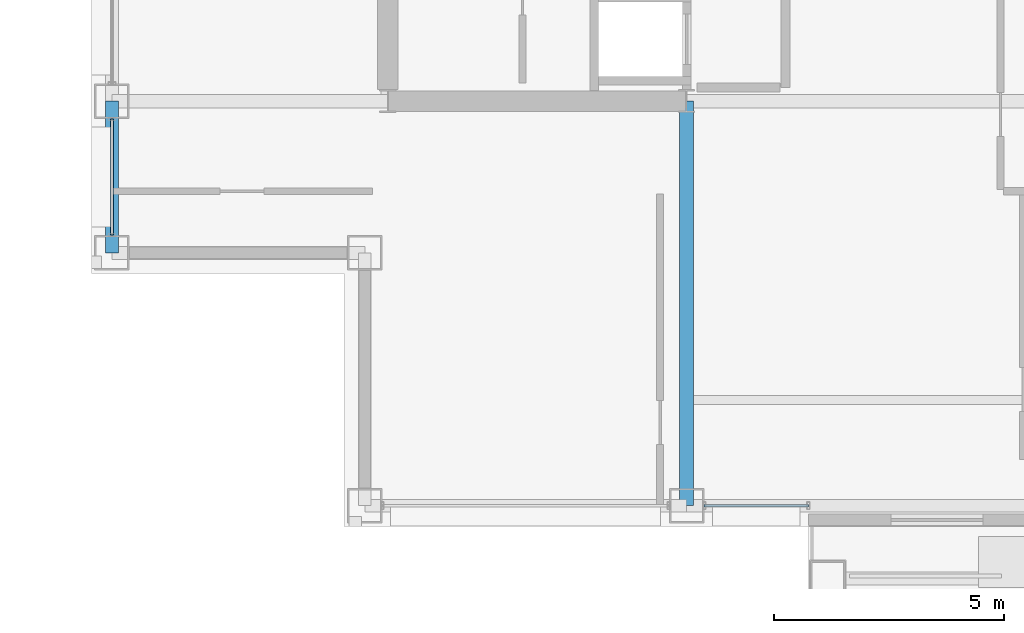
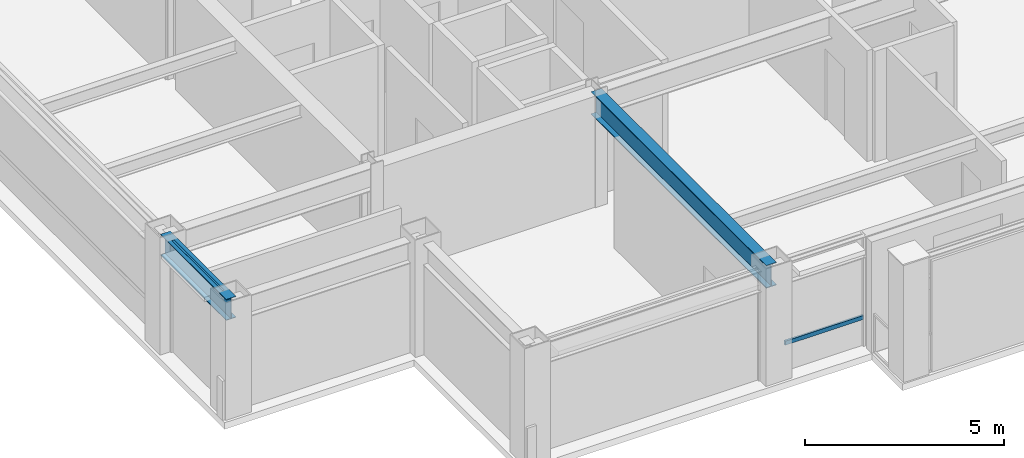
# One storey, part 3 of 27: 2 beams, 2 members, 2 elements without a shape of their own.
"""IFC4 building model written with IfcOpenShell, lengths in metres."""

from ifc_helpers import new_model, si_unit, direction, frame, origin, origin_2d, place, context, subcontext, project, spatial, hollow_rectangle, i_section, extrude, material, layer, layer_set, material_profile, profile_set, type_object, element, aggregate, save


model = new_model("IFC4")

# Units and contexts
model_context = context("Model", 3, precision=1e-05, world=origin(), true_north=direction((0.0, 1.0)))
body_context = subcontext(model_context, "Body", "Model", "MODEL_VIEW")
ifc_project = project(units=[si_unit("LENGTHUNIT", "METRE"), si_unit("AREAUNIT", "SQUARE_METRE"), si_unit("VOLUMEUNIT", "CUBIC_METRE"), si_unit("PLANEANGLEUNIT", "RADIAN"), si_unit("MASSUNIT", "GRAM", prefix="KILO")], contexts=[model_context])

# Site, building, storey
site_placement = place(None, origin())
site = spatial("IfcSite", under=ifc_project, at=site_placement, CompositionType="ELEMENT")
building_placement = place(site_placement, origin())
building = spatial("IfcBuilding", under=site, at=building_placement, Name="Brelmoor Portico Tower", CompositionType="ELEMENT")
storey_placement = place(building_placement, frame((0.0, 0.0, 158.699951171875)))
storey = spatial("IfcBuildingStorey", under=building, at=storey_placement, Name="L41", CompositionType="ELEMENT", Elevation=158.699951171875)

# Beams
ifc_material_1 = material(Name="Steel Q355B", Category="steel")
ifc_material_profile_1 = material_profile(ifc_material_1, i_section(OverallWidth=0.300048828125, OverallDepth=0.699951171875, WebThickness=0.012939453125, FlangeThickness=0.02392578125, at=origin_2d()), Name="HN 700x300x13x24")
ifc_profile_set_1 = profile_set([ifc_material_profile_1], Name="Steel Q355B")
beam_type_1 = type_object("IfcBeamType", Name="BM-PG-700", PredefinedType="BEAM", material=ifc_profile_set_1)
beam_1_placement = place(storey_placement, frame((-8.050048828125, -18.550048828125, 3.050048828125), z_axis=(0.0, 1.0, 0.0), x_axis=(-1.0, 0.0, 0.0)))
element("IfcBeam", 1, at=beam_1_placement, inside=storey, type_object=beam_type_1, Name="L41 Primary Floor Girder PG-03", PredefinedType="BEAM", context=body_context, shape_type="SweptSolid", body=[
    extrude(i_section(OverallWidth=0.300048828125, OverallDepth=0.699951171875, WebThickness=0.012939453125, FlangeThickness=0.02392578125, at=origin_2d()), origin(), (0.0, 0.0, 1.0), 8.800048828125),
])
ifc_material_profile_2 = material_profile(ifc_material_1, i_section(OverallWidth=0.280029296875, OverallDepth=0.64990234375, WebThickness=0.012939453125, FlangeThickness=0.02197265625, at=origin_2d()), Name="HN 650x280x13x22")
ifc_profile_set_2 = profile_set([ifc_material_profile_2], Name="Steel Q355B")
beam_type_2 = type_object("IfcBeamType", Name="BM-SP-650", PredefinedType="SPANDREL", material=ifc_profile_set_2)
beam_2_placement = place(storey_placement, frame((-20.550048828125, -13.050048828125, 3.074951171875), z_axis=(0.0, 1.0, 0.0), x_axis=(-1.0, 0.0, 0.0)))
element("IfcBeam", 2, at=beam_2_placement, inside=storey, type_object=beam_type_2, Name="L41 Perimeter Spandrel Beam SP-11", PredefinedType="SPANDREL", context=body_context, shape_type="SweptSolid", body=[
    extrude(i_section(OverallWidth=0.280029296875, OverallDepth=0.64990234375, WebThickness=0.012939453125, FlangeThickness=0.02197265625, at=origin_2d()), origin(), (0.0, 0.0, 1.0), 3.300048828125),
])

# Curtain wall, member
ifc_material_2 = material(Name="Anodised Aluminium Alloy 6063-T6", Category="aluminium")
ifc_layer_1 = layer(ifc_material_2, 0.179931640625)
ifc_layer_set_1 = layer_set([ifc_layer_1], Name="Anodised Aluminium Alloy 6063-T6")
curtain_wall_type_1 = type_object("IfcCurtainWallType", Name="CW-TOWER-Z3", PredefinedType="NOTDEFINED", material=ifc_layer_set_1)
curtain_wall_1_placement = place(storey_placement, origin())
curtain_wall_1 = element("IfcCurtainWall", 3, at=curtain_wall_1_placement, inside=storey, type_object=curtain_wall_type_1, Name="L41 Curtain Wall CW-L41-1L-2", PredefinedType="NOTDEFINED")
ifc_material_profile_3 = material_profile(ifc_material_2, hollow_rectangle(XDim=0.06005859375, YDim=0.125, WallThickness=0.00341796875, at=origin_2d()), Name="ALU TRANSOM 60x125")
ifc_profile_set_3 = profile_set([ifc_material_profile_3], Name="Anodised Aluminium Alloy 6063-T6")
member_type = type_object("IfcMemberType", Name="MB-CW-TRAN-125", PredefinedType="USERDEFINED", material=ifc_profile_set_3)
member_1_placement = place(storey_placement, frame((-7.6650390625, -18.550048828125, 0.85009765625), z_axis=(1.0, 0.0, 0.0), x_axis=(0.0, 1.0, 0.0)))
member_1 = element("IfcMember", 4, at=member_1_placement, type_object=member_type, Name="CW-L41-1L-2 Transom 1-00", ObjectType="TRANSOM", PredefinedType="USERDEFINED", context=body_context, shape_type="SweptSolid", body=[
    extrude(hollow_rectangle(XDim=0.06005859375, YDim=0.125, WallThickness=0.00341796875, at=origin_2d()), origin(), (0.0, 0.0, 1.0), 2.26513671875),
])
aggregate(curtain_wall_1, [member_1])

ifc_layer_2 = layer(ifc_material_2, 0.179931640625)
ifc_layer_set_2 = layer_set([ifc_layer_2], Name="Anodised Aluminium Alloy 6063-T6")
curtain_wall_type_2 = type_object("IfcCurtainWallType", Name="CW-TOWER-Z3-XB", PredefinedType="NOTDEFINED", material=ifc_layer_set_2)
curtain_wall_2_placement = place(storey_placement, origin())
curtain_wall_2 = element("IfcCurtainWall", 5, at=curtain_wall_2_placement, inside=storey, type_object=curtain_wall_type_2, Name="L41 Curtain Wall CW-L41-3L-1", PredefinedType="NOTDEFINED")
member_2_placement = place(storey_placement, frame((-20.550048828125, -12.6650390625, 3.337646484375), z_axis=(0.0, 1.0, 0.0), x_axis=(-1.0, 0.0, 0.0)))
member_2 = element("IfcMember", 6, at=member_2_placement, type_object=member_type, Name="CW-L41-3L-1 Transom 1-00", ObjectType="TRANSOM", PredefinedType="USERDEFINED", context=body_context, shape_type="SweptSolid", body=[
    extrude(hollow_rectangle(XDim=0.06005859375, YDim=0.125, WallThickness=0.00341796875, at=origin_2d()), origin(), (0.0, 0.0, 1.0), 2.530029296875),
])
aggregate(curtain_wall_2, [member_2])

save(model, "model.ifc")
